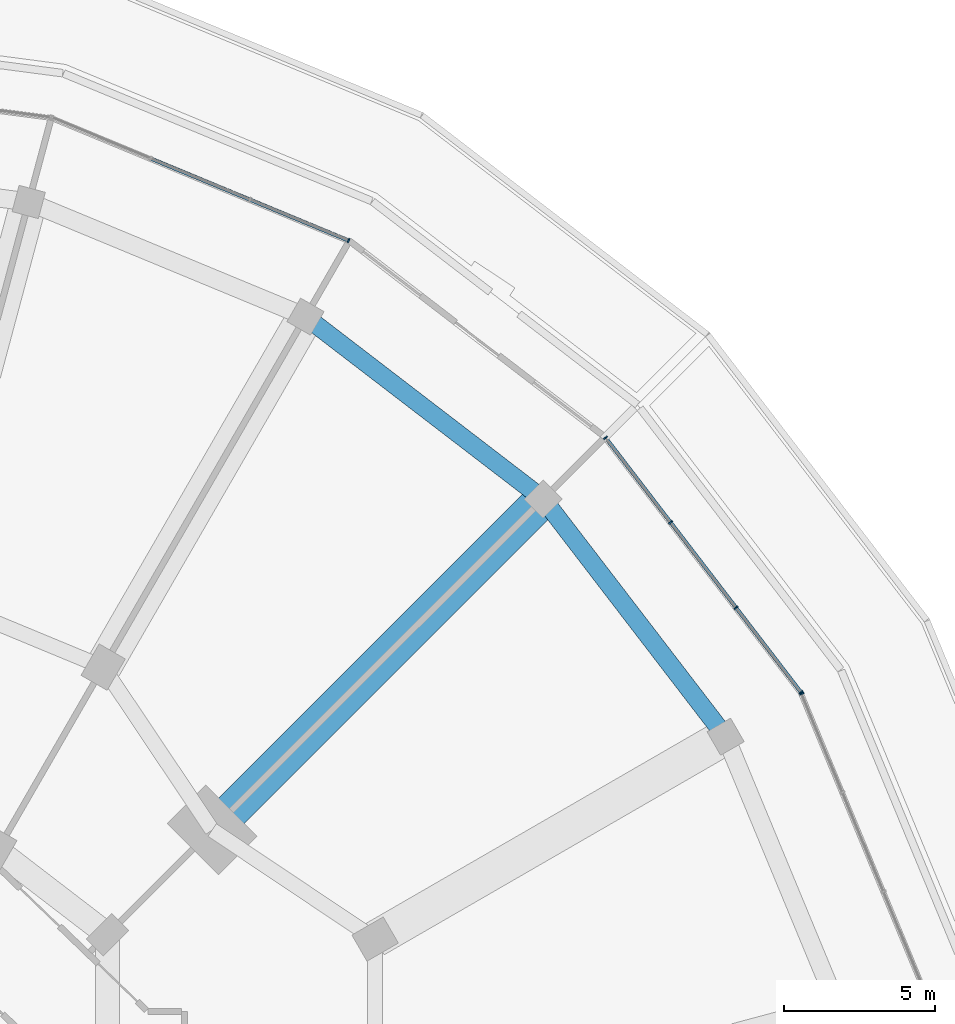
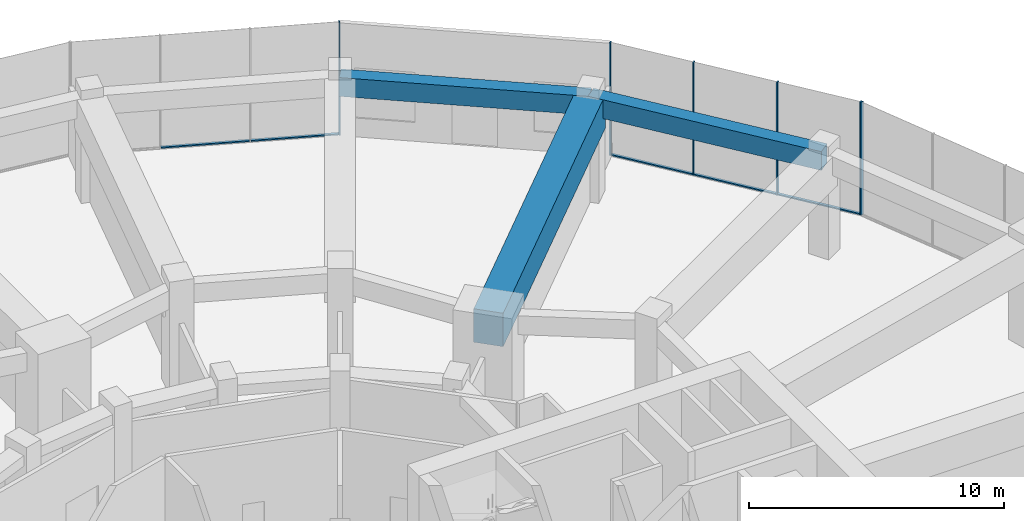
# One storey, part 18 of 30: 11 members, 3 beams, 3 elements without a shape of their own.
"""IFC4 building model written with IfcOpenShell, lengths in metres."""

import ifcopenshell
import ifcopenshell.guid

model = None  # the IFC model being written
_history = None  # IfcOwnerHistory: only IFC2X3 demands one
_inside = {}  # id of a spatial element -> (the spatial element, [elements in it])
_under = {}  # id of a project, library or spatial element -> (it, [spatial elements below it])
_declared = {}  # id of a project -> (the project, [libraries it declares])
_typed = {}  # id of a type object -> (the type object, [elements of that type])
_made_of = {}  # id of a material, layer set ... -> (it, [elements and type objects made of it])


def new_model(schema):
    """Start an empty IFC model of exactly this schema.

    Asked for "IFC4X3", IfcOpenShell would pick the latest addendum, in which some entities
    have other attributes; the version numbers below select the first issue.
    IFC2X3 requires an IfcOwnerHistory on every rooted entity: one is made here for all.
    """
    global model, _history
    if schema == "IFC4X3":
        model = ifcopenshell.file(schema_version=(4, 3, 0, 0))
    else:
        model = ifcopenshell.file(schema=schema)
    _inside.clear()
    _under.clear()
    _declared.clear()
    _typed.clear()
    _made_of.clear()
    _history = None
    if model.schema == "IFC2X3":
        org = make("IfcOrganization", Name="unknown")
        user = make(
            "IfcPersonAndOrganization",
            ThePerson=make("IfcPerson", FamilyName="unknown"),
            TheOrganization=org,
        )
        app = make(
            "IfcApplication",
            ApplicationDeveloper=org,
            Version="unknown",
            ApplicationFullName="unknown",
            ApplicationIdentifier="unknown",
        )
        _history = make(
            "IfcOwnerHistory",
            OwningUser=user,
            OwningApplication=app,
            ChangeAction="ADDED",
            CreationDate=0,
        )
    return model


def make(cls, **values):
    """One entity of the class cls with the attributes given. An attribute that is None is left unset."""
    return model.create_entity(
        cls, **{name: value for name, value in values.items() if value is not None}
    )


def rooted(cls, **values):
    """An entity with a GlobalId (a new one), such as an element, a storey or a relation."""
    return make(cls, GlobalId=ifcopenshell.guid.new(), OwnerHistory=_history, **values)


def si_unit(unit_type, name, prefix=None):
    """IfcSIUnit, for example si_unit("LENGTHUNIT", "METRE", prefix="MILLI")."""
    return make("IfcSIUnit", UnitType=unit_type, Prefix=prefix, Name=name)


def assignment(units):
    """IfcUnitAssignment: the units of a project."""
    return None if units is None else make("IfcUnitAssignment", Units=units)


def point(xyz):
    """IfcCartesianPoint."""
    return None if xyz is None else make("IfcCartesianPoint", Coordinates=xyz)


def direction(xyz):
    """IfcDirection."""
    return None if xyz is None else make("IfcDirection", DirectionRatios=xyz)


def frame(location, z_axis=None, x_axis=None):
    """IfcAxis2Placement3D, a coordinate frame: its origin and axes. An axis left out is left unset."""
    return make(
        "IfcAxis2Placement3D",
        Location=point(location),
        Axis=direction(z_axis),
        RefDirection=direction(x_axis),
    )


def frame_2d(location, x_axis=None):
    """IfcAxis2Placement2D, a coordinate frame in the plane: its origin and x axis."""
    return make(
        "IfcAxis2Placement2D", Location=point(location), RefDirection=direction(x_axis)
    )


def origin():
    """The frame at (0, 0, 0) with its axes left unset."""
    return frame((0.0, 0.0, 0.0))


def origin_2d():
    """The frame at (0, 0) in the plane with its x axis left unset."""
    return frame_2d((0.0, 0.0))


def place(relative_to, where):
    """IfcLocalPlacement: puts the frame where relative to a parent placement (None: the world)."""
    return make(
        "IfcLocalPlacement", PlacementRelTo=relative_to, RelativePlacement=where
    )


def context(
    kind, dimensions, precision=None, world=None, true_north=None, identifier=None
):
    """IfcGeometricRepresentationContext, for example the 3D "Model" context."""
    return make(
        "IfcGeometricRepresentationContext",
        ContextIdentifier=identifier,
        ContextType=kind,
        CoordinateSpaceDimension=dimensions,
        Precision=precision,
        WorldCoordinateSystem=world,
        TrueNorth=true_north,
    )


def subcontext(parent, identifier, kind, view, scale=None):
    """IfcGeometricRepresentationSubContext, for example "Body" below "Model"."""
    return make(
        "IfcGeometricRepresentationSubContext",
        ContextIdentifier=identifier,
        ContextType=kind,
        ParentContext=parent,
        TargetScale=scale,
        TargetView=view,
    )


def project(units=None, contexts=None):
    """IfcProject with its units and contexts."""
    return rooted(
        "IfcProject",
        Name="project",
        RepresentationContexts=contexts,
        UnitsInContext=assignment(units),
    )


def spatial(cls, under=None, at=None, **own):
    """A site, building, storey or space (cls), placed at a placement, below another one or the project."""
    s = rooted(cls, ObjectPlacement=at, **own)
    if under is not None:
        _under.setdefault(under.id(), (under, []))[1].append(s)
    return s


def profile(cls, at=None, kind="AREA", **sizes):
    """A parametric profile (cls). Its sizes go by their IFC names, for example OverallWidth=200.0."""
    return make(cls, ProfileType=kind, Position=at, **sizes)


def rectangle(**sizes):
    """IfcRectangleProfileDef."""
    return profile("IfcRectangleProfileDef", **sizes)


def extrude(swept, where, along, depth):
    """IfcExtrudedAreaSolid: the profile swept, set in the frame where, extruded along a direction by depth."""
    return make(
        "IfcExtrudedAreaSolid",
        SweptArea=swept,
        Position=where,
        ExtrudedDirection=direction(along),
        Depth=depth,
    )


def shape(context_of_items, identifier, shape_type, items):
    """IfcShapeRepresentation: the items that make up one representation, for example the "Body"."""
    return make(
        "IfcShapeRepresentation",
        ContextOfItems=context_of_items,
        RepresentationIdentifier=identifier,
        RepresentationType=shape_type,
        Items=items,
    )


def material(Name=None, Category=None):
    """IfcMaterial."""
    return make("IfcMaterial", Name=Name, Category=Category)


def layer(
    of_material, thickness, ventilated=None, Name=None, Category=None, Priority=None
):
    """IfcMaterialLayer: one layer of a wall or slab, of a material (None: an air gap)."""
    return make(
        "IfcMaterialLayer",
        Material=of_material,
        LayerThickness=thickness,
        IsVentilated=ventilated,
        Name=Name,
        Category=Category,
        Priority=Priority,
    )


def layer_set(layers, Name=None):
    """IfcMaterialLayerSet."""
    return make("IfcMaterialLayerSet", MaterialLayers=layers, LayerSetName=Name)


def material_profile(
    of_material, cross_section, Name=None, Category=None, Priority=None
):
    """IfcMaterialProfile: a cross section and its material."""
    return make(
        "IfcMaterialProfile",
        Name=Name,
        Material=of_material,
        Profile=cross_section,
        Priority=Priority,
        Category=Category,
    )


def profile_set(profiles, Name=None, composite=None):
    """IfcMaterialProfileSet."""
    return make(
        "IfcMaterialProfileSet",
        Name=Name,
        MaterialProfiles=profiles,
        CompositeProfile=composite,
    )


def made_of(thing, what):
    """Note that an element or type object is made of a material, layer set ...; save() writes the relation."""
    if what is not None:
        _made_of.setdefault(what.id(), (what, []))[1].append(thing)
    return thing


def type_object(cls, material=None, **own):
    """A type object (cls), such as IfcWallType, which elements share."""
    return made_of(rooted(cls, **own), material)


def element(
    cls,
    number,
    at=None,
    inside=None,
    cuts=None,
    type_object=None,
    material=None,
    context=None,
    identifier="Body",
    shape_type=None,
    held_by="IfcProductDefinitionShape",
    body=None,
    shapes=None,
    **own,
):
    """One element of the class cls, such as IfcWall. Its Tag is "e" and its number.

    at: its placement. inside: the storey or other place that contains it. cuts: it is an
    opening in that element (IfcRelVoidsElement). A single representation is given by context,
    identifier, shape_type and body (its items); several are given by shapes. held_by: the class
    of the entity that holds the representations. save() writes the other relations.
    """
    e = rooted(cls, Tag="e%d" % number, ObjectPlacement=at, **own)
    if body is not None:
        shapes = [shape(context, identifier, shape_type, body)]
    if shapes is not None:
        e.Representation = make(held_by, Representations=shapes)
    if inside is not None:
        _inside.setdefault(inside.id(), (inside, []))[1].append(e)
    if cuts is not None:
        rooted(
            "IfcRelVoidsElement", RelatingBuildingElement=cuts, RelatedOpeningElement=e
        )
    if type_object is not None:
        _typed.setdefault(type_object.id(), (type_object, []))[1].append(e)
    return made_of(e, material)


def aggregate(whole, parts):
    """IfcRelAggregates: a whole, such as a stair, and the parts it consists of."""
    return rooted("IfcRelAggregates", RelatingObject=whole, RelatedObjects=parts)


def save(model, path):
    """Write the relations noted so far, then the file.

    IfcRelAggregates (storeys below a building ...), IfcRelContainedInSpatialStructure (elements
    in a storey), IfcRelDefinesByType, IfcRelAssociatesMaterial and IfcRelDeclares: one each for
    every whole, place, type object, material and project.
    """
    for whole, parts in _under.values():
        aggregate(whole, parts)
    for where, things in _inside.values():
        rooted(
            "IfcRelContainedInSpatialStructure",
            RelatedElements=things,
            RelatingStructure=where,
        )
    for kind, things in _typed.values():
        rooted("IfcRelDefinesByType", RelatedObjects=things, RelatingType=kind)
    for what, things in _made_of.values():
        rooted("IfcRelAssociatesMaterial", RelatedObjects=things, RelatingMaterial=what)
    for by, libraries in _declared.values():
        rooted("IfcRelDeclares", RelatingContext=by, RelatedDefinitions=libraries)
    model.write(path)


model = new_model("IFC4")

# Units and contexts
model_context = context("Model", 3, precision=1e-05, world=origin(), true_north=direction((0.0, 1.0)))
body_context = subcontext(model_context, "Body", "Model", "MODEL_VIEW")
ifc_project = project(units=[si_unit("LENGTHUNIT", "METRE"), si_unit("AREAUNIT", "SQUARE_METRE"), si_unit("VOLUMEUNIT", "CUBIC_METRE"), si_unit("PLANEANGLEUNIT", "RADIAN"), si_unit("MASSUNIT", "GRAM", prefix="KILO")], contexts=[model_context])

# Site, building, storey
site_placement = place(None, origin())
site = spatial("IfcSite", under=ifc_project, at=site_placement, CompositionType="ELEMENT")
building_placement = place(site_placement, origin())
building = spatial("IfcBuilding", under=site, at=building_placement, Name="Torre Brocal", CompositionType="ELEMENT")
storey_placement = place(building_placement, frame((0.0, 0.0, 7.0)))
storey = spatial("IfcBuildingStorey", under=building, at=storey_placement, Name="L01", CompositionType="ELEMENT", Elevation=7.0)

# Curtain wall, member
ifc_material_1 = material(Name="Aluminium and glass", Category="aluminium")
ifc_layer = layer(ifc_material_1, 0.199951171875)
ifc_layer_set = layer_set([ifc_layer], Name="Aluminium and glass")
curtain_wall_type = type_object("IfcCurtainWallType", Name="CW-3 CURTAIN WALL 5400 HIGH", PredefinedType="NOTDEFINED", material=ifc_layer_set)
curtain_wall_1_placement = place(storey_placement, origin())
curtain_wall_1 = element("IfcCurtainWall", 1, at=curtain_wall_1_placement, inside=storey, type_object=curtain_wall_type, Name="CW-3 RUN 2", PredefinedType="NOTDEFINED")
ifc_material_2 = material(Name="Aluminium, dark anodised", Category="aluminium")
ifc_material_profile_1 = material_profile(ifc_material_2, rectangle(XDim=0.14990234375, YDim=0.050048828125, at=origin_2d()), Name="CW-3 MULLION 50X150")
ifc_profile_set_1 = profile_set([ifc_material_profile_1], Name="Aluminium, dark anodised")
member_type_1 = type_object("IfcMemberType", Name="CW-3 MULLION 50X150", PredefinedType="MULLION", material=ifc_profile_set_1)
member_1_placement = place(storey_placement, frame((115.42919921875, 95.426513671875, 0.0), z_axis=(0.0, 0.0, 1.0), x_axis=(-0.923879532498, -0.382683432397, 0.0)))
member_1 = element("IfcMember", 2, at=member_1_placement, type_object=member_type_1, Name="CW3-2 mullion 4", PredefinedType="MULLION", context=body_context, shape_type="SweptSolid", body=[
    extrude(rectangle(XDim=0.14990234375, YDim=0.050048828125, at=origin_2d()), origin(), (0.0, 0.0, 1.0), 5.39990234375),
])
aggregate(curtain_wall_1, [member_1])

# Curtain wall, members
curtain_wall_2_placement = place(storey_placement, origin())
curtain_wall_2 = element("IfcCurtainWall", 3, at=curtain_wall_2_placement, inside=storey, type_object=curtain_wall_type, Name="CW-3 RUN 3", PredefinedType="NOTDEFINED")
member_2_placement = place(storey_placement, frame((115.404541015625, 95.469482421875, 0.0), z_axis=(0.0, 0.0, 1.0), x_axis=(-0.793353340291, -0.608761429009, 0.0)))
member_2 = element("IfcMember", 4, at=member_2_placement, type_object=member_type_1, Name="CW3-2 mullion 1", PredefinedType="MULLION", context=body_context, shape_type="SweptSolid", body=[
    extrude(rectangle(XDim=0.14990234375, YDim=0.050048828125, at=origin_2d()), origin(), (0.0, 0.0, 1.0), 5.39990234375),
])
member_3_placement = place(storey_placement, frame((113.253173828125, 98.27294921875, 0.0), z_axis=(0.0, 0.0, 1.0), x_axis=(-0.793353340291, -0.608761429009, 0.0)))
member_3 = element("IfcMember", 5, at=member_3_placement, type_object=member_type_1, Name="CW3-2 mullion 2", PredefinedType="MULLION", context=body_context, shape_type="SweptSolid", body=[
    extrude(rectangle(XDim=0.14990234375, YDim=0.050048828125, at=origin_2d()), origin(), (0.0, 0.0, 1.0), 5.39990234375),
])
member_4_placement = place(storey_placement, frame((111.086669921875, 101.0966796875, 0.0), z_axis=(0.0, 0.0, 1.0), x_axis=(-0.793353340291, -0.608761429009, 0.0)))
member_4 = element("IfcMember", 6, at=member_4_placement, type_object=member_type_1, Name="CW3-2 mullion 3", PredefinedType="MULLION", context=body_context, shape_type="SweptSolid", body=[
    extrude(rectangle(XDim=0.14990234375, YDim=0.050048828125, at=origin_2d()), origin(), (0.0, 0.0, 1.0), 5.39990234375),
])
member_5_placement = place(storey_placement, frame((108.935302734375, 103.900146484375, 0.0), z_axis=(0.0, 0.0, 1.0), x_axis=(-0.793353340291, -0.608761429009, 0.0)))
member_5 = element("IfcMember", 7, at=member_5_placement, type_object=member_type_1, Name="CW3-2 mullion 4", PredefinedType="MULLION", context=body_context, shape_type="SweptSolid", body=[
    extrude(rectangle(XDim=0.14990234375, YDim=0.050048828125, at=origin_2d()), origin(), (0.0, 0.0, 1.0), 5.39990234375),
])

# Curtain wall, member
curtain_wall_3_placement = place(storey_placement, origin())
curtain_wall_3 = element("IfcCurtainWall", 8, at=curtain_wall_3_placement, inside=storey, type_object=curtain_wall_type, Name="CW-3 RUN 5", PredefinedType="NOTDEFINED")
member_6_placement = place(storey_placement, frame((100.426513671875, 110.42919921875, 0.0), z_axis=(0.0, 0.0, 1.0), x_axis=(-0.382683432397, -0.923879532498, 0.0)))
member_6 = element("IfcMember", 9, at=member_6_placement, type_object=member_type_1, Name="CW3-2 mullion 1", PredefinedType="MULLION", context=body_context, shape_type="SweptSolid", body=[
    extrude(rectangle(XDim=0.14990234375, YDim=0.050048828125, at=origin_2d()), origin(), (0.0, 0.0, 1.0), 5.39990234375),
])

# Member
ifc_material_3 = material(Name="Aluminium, dark anodised", Category="aluminium")
ifc_material_profile_2 = material_profile(ifc_material_3, rectangle(XDim=0.1201171875, YDim=0.06005859375, at=origin_2d()), Name="CW-3 TRANSOM 120X60")
ifc_profile_set_2 = profile_set([ifc_material_profile_2], Name="Aluminium, dark anodised")
member_type_2 = type_object("IfcMemberType", Name="CW-3 TRANSOM 120X60", PredefinedType="USERDEFINED", material=ifc_profile_set_2)
member_7_placement = place(storey_placement, frame((115.38916015625, 95.4892578125, 0.030029296875), z_axis=(-0.608765450251, 0.793350254667, 0.0), x_axis=(-0.793350254667, -0.608765450251, 0.0)))
member_7 = element("IfcMember", 10, at=member_7_placement, type_object=member_type_2, Name="CW3-2 transom 1.1", ObjectType="TRANSOM", PredefinedType="USERDEFINED", context=body_context, shape_type="SweptSolid", body=[
    extrude(rectangle(XDim=0.1201171875, YDim=0.06005859375, at=origin_2d()), origin(), (0.0, 0.0, 1.0), 3.48388671875),
])

member_8_placement = place(storey_placement, frame((113.238037109375, 98.29296875, 0.030029296875), z_axis=(-0.608802491862, 0.793321829967, 0.0), x_axis=(-0.793321829967, -0.608802491862, 0.0)))
member_8 = element("IfcMember", 11, at=member_8_placement, type_object=member_type_2, Name="CW3-2 transom 2.1", ObjectType="TRANSOM", PredefinedType="USERDEFINED", context=body_context, shape_type="SweptSolid", body=[
    extrude(rectangle(XDim=0.1201171875, YDim=0.06005859375, at=origin_2d()), origin(), (0.0, 0.0, 1.0), 3.5087890625),
])

member_9_placement = place(storey_placement, frame((111.0712890625, 101.116455078125, 0.030029296875), z_axis=(-0.608765450251, 0.793350254667, 0.0), x_axis=(-0.793350254667, -0.608765450251, 0.0)))
member_9 = element("IfcMember", 12, at=member_9_placement, type_object=member_type_2, Name="CW3-2 transom 3.1", ObjectType="TRANSOM", PredefinedType="USERDEFINED", context=body_context, shape_type="SweptSolid", body=[
    extrude(rectangle(XDim=0.1201171875, YDim=0.06005859375, at=origin_2d()), origin(), (0.0, 0.0, 1.0), 3.48388671875),
])

aggregate(curtain_wall_2, [member_2, member_3, member_4, member_5, member_7, member_8, member_9])

member_10_placement = place(storey_placement, frame((100.4033203125, 110.438720703125, 0.030029296875), z_axis=(-0.923879324553, 0.382683934419, 0.0), x_axis=(-0.382683934419, -0.923879324553, 0.0)))
member_10 = element("IfcMember", 13, at=member_10_placement, type_object=member_type_2, Name="CW3-2 transom 1.1", ObjectType="TRANSOM", PredefinedType="USERDEFINED", context=body_context, shape_type="SweptSolid", body=[
    extrude(rectangle(XDim=0.1201171875, YDim=0.06005859375, at=origin_2d()), origin(), (0.0, 0.0, 1.0), 3.48388671875),
])

member_11_placement = place(storey_placement, frame((97.138427734375, 111.791259765625, 0.030029296875), z_axis=(-0.923887942392, 0.382663128485, 0.0), x_axis=(-0.382663128485, -0.923887942392, 0.0)))
member_11 = element("IfcMember", 14, at=member_11_placement, type_object=member_type_2, Name="CW3-2 transom 2.1", ObjectType="TRANSOM", PredefinedType="USERDEFINED", context=body_context, shape_type="SweptSolid", body=[
    extrude(rectangle(XDim=0.1201171875, YDim=0.06005859375, at=origin_2d()), origin(), (0.0, 0.0, 1.0), 3.509033203125),
])

aggregate(curtain_wall_3, [member_6, member_10, member_11])

# Beams
ifc_material_4 = material(Name="Concrete C50", Category="concrete")
ifc_material_profile_3 = material_profile(ifc_material_4, rectangle(XDim=0.60009765625, YDim=0.89990234375, at=origin_2d()), Name="RC 600X900")
ifc_profile_set_3 = profile_set([ifc_material_profile_3], Name="Concrete C50")
beam_type_1 = type_object("IfcBeamType", Name="RC BEAM 600X900 C50 TOP 4950", PredefinedType="BEAM", material=ifc_profile_set_3)
for number, where, z_axis, x_axis, name in (
    (15, (112.908935546875, 94.0, 4.5), (-0.608752866125, 0.79335991075, 0.0), (-0.79335991075, -0.608752866125, 0.0), "Beam BT-10"),
    (16, (106.8701171875, 101.8701171875, 4.5), (-0.79335991075, 0.608752866125, 0.0), (-0.608752866125, -0.79335991075, 0.0), "Beam BT-10"),
):
    element("IfcBeam", number, at=place(storey_placement, frame(where, z_axis=z_axis, x_axis=x_axis)), inside=storey, type_object=beam_type_1, Name=name, PredefinedType="BEAM", context=body_context, shape_type="SweptSolid", body=[
        extrude(rectangle(XDim=0.60009765625, YDim=0.89990234375, at=origin_2d()), origin(), (0.0, 0.0, 1.0), 9.919921875),
    ])
ifc_material_5 = material(Name="Concrete C60", Category="concrete")
ifc_material_profile_4 = material_profile(ifc_material_5, rectangle(XDim=1.199951171875, YDim=1.60009765625, at=origin_2d()), Name="RC 1200X1600")
ifc_profile_set_4 = profile_set([ifc_material_profile_4], Name="Concrete C60")
beam_type_2 = type_object("IfcBeamType", Name="RC TRANSFER GIRDER 1200X1600 C60 TOP 4950", PredefinedType="BEAM", material=ifc_profile_set_4)
beam_placement = place(storey_placement, frame((95.909912109375, 90.909912109375, 4.14990234375), z_axis=(0.707106781187, 0.707106781187, 0.0), x_axis=(-0.707106781187, 0.707106781187, 0.0)))
element("IfcBeam", 17, at=beam_placement, inside=storey, type_object=beam_type_2, Name="Beam TG-02", PredefinedType="BEAM", context=body_context, shape_type="SweptSolid", body=[
    extrude(rectangle(XDim=1.199951171875, YDim=1.60009765625, at=origin_2d()), origin(), (0.0, 0.0, 1.0), 15.5),
])

save(model, "model.ifc")
